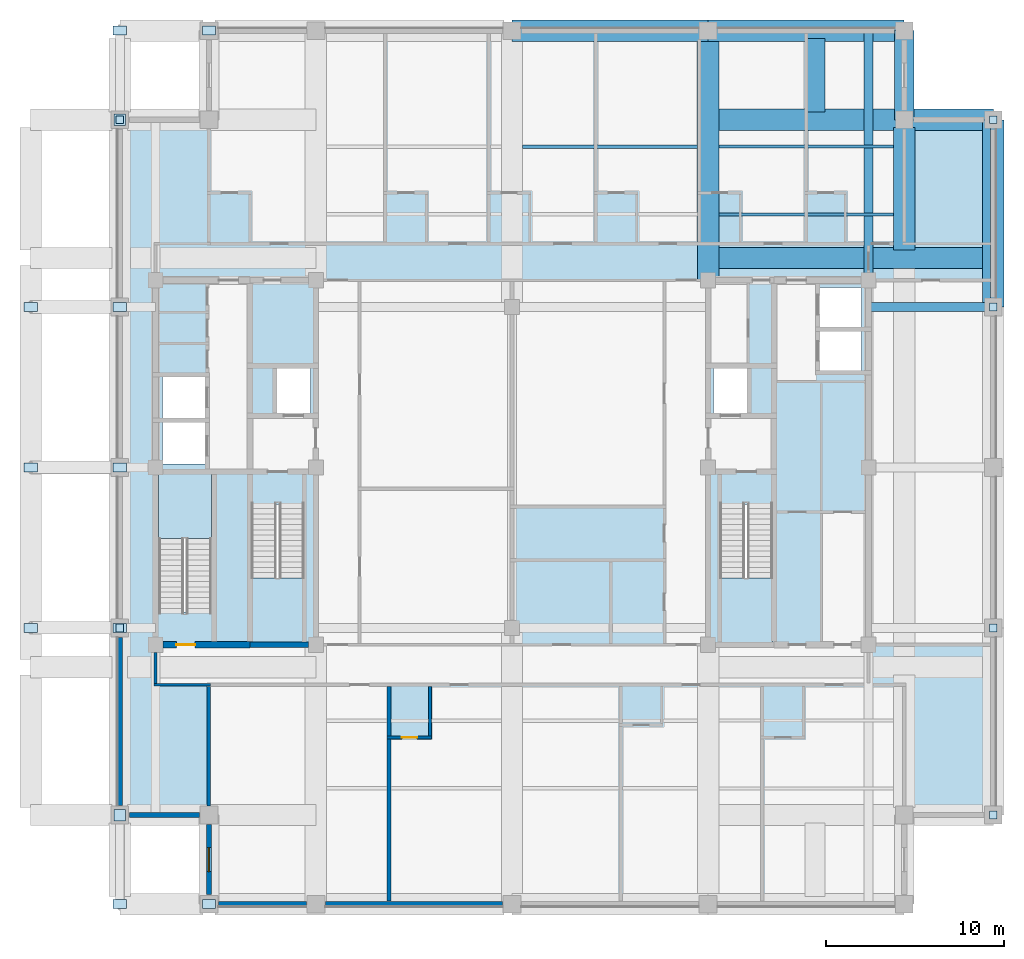
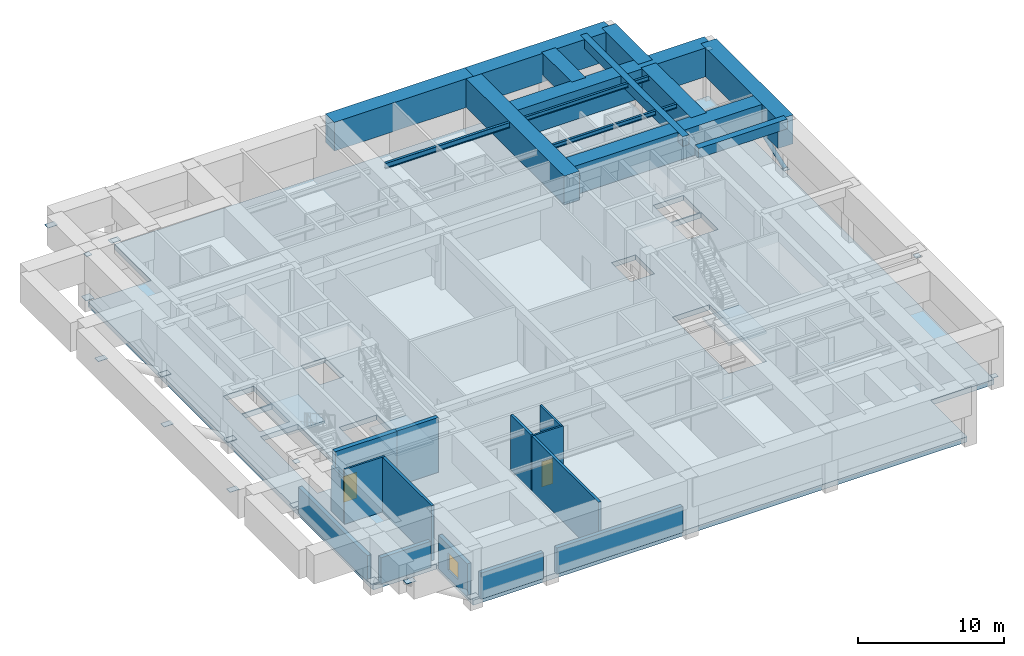
# One storey, part 2 of 11: 18 plates, 14 beams, 14 walls, 4 slabs, 2 doors, 1 member, 1 window, 3 openings, 3 elements without a shape of their own.
"""IFC4 building model written with IfcOpenShell, lengths in metres."""

from ifc_helpers import new_model, si_unit, direction, frame, frame_2d, origin, origin_2d, place, context, subcontext, project, spatial, polyline, rectangle, hollow_circle, i_section, outline, extrude, material, layer, layer_set, material_profile, profile_set, type_object, element, fill, aggregate, save


model = new_model("IFC4")

# Units and contexts
model_context = context("Model", 3, precision=1e-05, world=origin(), true_north=direction((0.0, 1.0)))
body_context = subcontext(model_context, "Body", "Model", "MODEL_VIEW")
ifc_project = project(units=[si_unit("LENGTHUNIT", "METRE"), si_unit("AREAUNIT", "SQUARE_METRE"), si_unit("VOLUMEUNIT", "CUBIC_METRE"), si_unit("PLANEANGLEUNIT", "RADIAN"), si_unit("MASSUNIT", "GRAM", prefix="KILO")], contexts=[model_context])

# Site, building, storey
site_placement = place(None, origin())
site = spatial("IfcSite", under=ifc_project, at=site_placement, CompositionType="ELEMENT")
building_placement = place(site_placement, origin())
building = spatial("IfcBuilding", under=site, at=building_placement, Name="Zulmaris Gate Convention Tower", CompositionType="ELEMENT")
storey_placement = place(building_placement, frame((0.0, 0.0, 186.4599609375)))
storey = spatial("IfcBuildingStorey", under=building, at=storey_placement, Name="L48", CompositionType="ELEMENT", Elevation=186.4599609375)

# Beams
ifc_material_1 = material(Name="Concrete C50/60", Category="concrete")
ifc_material_profile_1 = material_profile(ifc_material_1, rectangle(XDim=0.5, YDim=0.800048828125, at=origin_2d()), Name="RC BEAM 500x800")
ifc_profile_set_1 = profile_set([ifc_material_profile_1], Name="Concrete C50/60")
beam_type_1 = type_object("IfcBeamType", Name="BM-RC500x800", PredefinedType="BEAM", material=ifc_profile_set_1)
beam_1_placement = place(storey_placement, frame((20.0, 10.5, 4.175048828125), z_axis=(0.0, 1.0, 0.0), x_axis=(-1.0, 0.0, 0.0)))
element("IfcBeam", 1, at=beam_1_placement, inside=storey, type_object=beam_type_1, Name="L48 Beam BM-L48-G15", PredefinedType="BEAM", context=body_context, shape_type="SweptSolid", body=[
    extrude(rectangle(XDim=0.5, YDim=0.800048828125, at=origin_2d()), origin(), (0.0, 0.0, 1.0), 14.0),
])
beam_2_placement = place(storey_placement, frame((20.0, 9.0, 4.175048828125), z_axis=(1.0, 0.0, 0.0), x_axis=(0.0, 1.0, 0.0)))
element("IfcBeam", 2, at=beam_2_placement, inside=storey, type_object=beam_type_1, Name="L48 Beam BM-L48-G21", PredefinedType="BEAM", context=body_context, shape_type="SweptSolid", body=[
    extrude(rectangle(XDim=0.5, YDim=0.800048828125, at=origin_2d()), origin(), (0.0, 0.0, 1.0), 7.0),
])
ifc_material_2 = material(Name="Concrete C80/95", Category="concrete")
ifc_material_profile_2 = material_profile(ifc_material_2, rectangle(XDim=1.10009765625, YDim=1.800048828125, at=origin_2d()), Name="RC TRANSFER 1100x1800")
ifc_profile_set_2 = profile_set([ifc_material_profile_2], Name="Concrete C80/95")
beam_type_2 = type_object("IfcBeamType", Name="BM-XFER1800", PredefinedType="BEAM", material=ifc_profile_set_2)
beam_3_placement = place(storey_placement, frame((22.0, 19.5, 3.675048828125), z_axis=(0.0, 1.0, 0.0), x_axis=(-1.0, 0.0, 0.0)))
element("IfcBeam", 3, at=beam_3_placement, inside=storey, type_object=beam_type_2, Name="L48 Beam XFCOLV-L48-CXEN", PredefinedType="BEAM", context=body_context, shape_type="SweptSolid", body=[
    extrude(rectangle(XDim=1.10009765625, YDim=1.800048828125, at=origin_2d()), origin(), (0.0, 0.0, 1.0), 5.0),
])
beam_4_placement = place(storey_placement, frame((17.0, 19.93505859375, 3.675048828125), z_axis=(0.0, 1.0, 0.0), x_axis=(-1.0, 0.0, 0.0)))
element("IfcBeam", 4, at=beam_4_placement, inside=storey, type_object=beam_type_2, Name="L48 Beam XFNCH-L48-EC-+19.5", PredefinedType="BEAM", context=body_context, shape_type="SweptSolid", body=[
    extrude(rectangle(XDim=1.10009765625, YDim=1.800048828125, at=origin_2d()), origin(), (0.0, 0.0, 1.0), 4.1298828125),
])
ifc_material_profile_3 = material_profile(ifc_material_2, rectangle(XDim=1.199951171875, YDim=2.39990234375, at=origin_2d()), Name="RC TRANSFER 1200x2400")
ifc_profile_set_3 = profile_set([ifc_material_profile_3], Name="Concrete C80/95")
beam_type_3 = type_object("IfcBeamType", Name="BM-XFER2400", PredefinedType="BEAM", material=ifc_profile_set_3)
beam_5_placement = place(storey_placement, frame((27.0, 9.0, 3.375), z_axis=(0.0, 1.0, 0.0), x_axis=(-1.0, 0.0, 0.0)))
element("IfcBeam", 5, at=beam_5_placement, inside=storey, type_object=beam_type_3, Name="L48 Beam XFCOLV-L48-XEN", PredefinedType="BEAM", context=body_context, shape_type="SweptSolid", body=[
    extrude(rectangle(XDim=1.199951171875, YDim=2.39990234375, at=origin_2d()), origin(), (0.0, 0.0, 1.0), 10.5),
])
beam_6_placement = place(storey_placement, frame((11.0, 10.5, 3.375), z_axis=(0.0, 1.0, 0.0), x_axis=(-1.0, 0.0, 0.0)))
element("IfcBeam", 6, at=beam_6_placement, inside=storey, type_object=beam_type_3, Name="L48 Beam XFCOLV-L48-C11EN", PredefinedType="BEAM", context=body_context, shape_type="SweptSolid", body=[
    extrude(rectangle(XDim=1.199951171875, YDim=2.39990234375, at=origin_2d()), origin(), (0.0, 0.0, 1.0), 14.0),
])
for number, where, z_axis, x_axis, name in (
    (7, (11.0, 11.75, 3.375), (1.0, 0.0, 0.0), (0.0, 1.0, 0.0), "L48 Beam XFREC-L48-E-+11.75"),
    (8, (11.0, 19.5, 3.375), (1.0, 0.0, 0.0), (0.0, 1.0, 0.0), "L48 Beam XFREC-L48-E-+19.50"),
):
    element("IfcBeam", number, at=place(storey_placement, frame(where, z_axis=z_axis, x_axis=x_axis)), inside=storey, type_object=beam_type_3, Name=name, PredefinedType="BEAM", context=body_context, shape_type="SweptSolid", body=[
        extrude(rectangle(XDim=1.199951171875, YDim=2.39990234375, at=origin_2d()), origin(), (0.0, 0.0, 1.0), 16.0),
    ])
beam_7_placement = place(storey_placement, frame((22.0, 12.18505859375, 3.375), z_axis=(0.0, 1.0, 0.0), x_axis=(-1.0, 0.0, 0.0)))
element("IfcBeam", 9, at=beam_7_placement, inside=storey, type_object=beam_type_3, Name="L48 Beam XFEDG-L48-EN", PredefinedType="BEAM", context=body_context, shape_type="SweptSolid", body=[
    extrude(rectangle(XDim=1.199951171875, YDim=2.39990234375, at=origin_2d()), origin(), (0.0, 0.0, 1.0), 6.8798828125),
])
for number, where, z_axis, x_axis, name in (
    (10, (11.0, 24.5, 3.375), (1.0, 0.0, 0.0), (0.0, 1.0, 0.0), "L48 Beam XFREC-L48-EC-+24.5"),
    (11, (0.0, 24.5, 3.375), (1.0, 0.0, 0.0), (0.0, 1.0, 0.0), "L48 Beam XFREC-L48-M2-+24.5"),
):
    element("IfcBeam", number, at=place(storey_placement, frame(where, z_axis=z_axis, x_axis=x_axis)), inside=storey, type_object=beam_type_3, Name=name, PredefinedType="BEAM", context=body_context, shape_type="SweptSolid", body=[
        extrude(rectangle(XDim=1.199951171875, YDim=2.39990234375, at=origin_2d()), origin(), (0.0, 0.0, 1.0), 11.0),
    ])

# Member
ifc_material_3 = material(Name="Steel S355", Category="steel")
ifc_material_profile_4 = material_profile(ifc_material_3, hollow_circle(Radius=0.161865234375, WallThickness=0.01611328125, at=origin_2d()), Name="CHS 323.9x16")
ifc_profile_set_4 = profile_set([ifc_material_profile_4], Name="Steel S355")
member_type = type_object("IfcMemberType", Name="BR-CHS324", PredefinedType="BRACE", material=ifc_profile_set_4)
member_placement = place(storey_placement, frame((27.0, 9.0, 0.300048828125), z_axis=(0.0, 0.944417079225, 0.328749723146), x_axis=(-1.0, 0.0, 0.0)))
element("IfcMember", 12, at=member_placement, inside=storey, type_object=member_type, Name="L48 Perimeter Tube Diagonal NE-E", PredefinedType="BRACE", context=body_context, shape_type="SweptSolid", body=[
    extrude(hollow_circle(Radius=0.161865234375, WallThickness=0.01611328125, at=origin_2d()), origin(), (0.0, 0.0, 1.0), 11.117919921875),
])

# Beams
ifc_material_profile_5 = material_profile(ifc_material_3, i_section(OverallWidth=0.169921875, OverallDepth=0.360107421875, WebThickness=0.008056640625, FlangeThickness=0.0126953125, FilletRadius=0.01806640625, at=origin_2d()), Name="IPE 360")
ifc_profile_set_5 = profile_set([ifc_material_profile_5], Name="Steel S355")
beam_type_4 = type_object("IfcBeamType", Name="JT-IPE360", PredefinedType="JOIST", material=ifc_profile_set_5)
for number, where, z_axis, x_axis, name in (
    (13, (11.60009765625, 14.199951171875, 4.39306640625), (1.0, 0.0, 0.0), (0.0, 1.0, 0.0), "L48 Joist JT-L48-NE-+14.2"),
    (14, (11.60009765625, 18.0, 4.39306640625), (1.0, 0.0, 0.0), (0.0, 1.0, 0.0), "L48 Joist JT-L48-NE-+18.0"),
):
    element("IfcBeam", number, at=place(storey_placement, frame(where, z_axis=z_axis, x_axis=x_axis)), inside=storey, type_object=beam_type_4, Name=name, PredefinedType="JOIST", context=body_context, shape_type="SweptSolid", body=[
        extrude(i_section(OverallWidth=0.169921875, OverallDepth=0.360107421875, WebThickness=0.008056640625, FlangeThickness=0.0126953125, FilletRadius=0.01806640625, at=origin_2d()), origin(), (0.0, 0.0, 1.0), 9.7998046875),
    ])
ifc_material_profile_6 = material_profile(ifc_material_3, i_section(OverallWidth=0.18994140625, OverallDepth=0.449951171875, WebThickness=0.009521484375, FlangeThickness=0.0146484375, FilletRadius=0.02099609375, at=origin_2d()), Name="IPE 450")
ifc_profile_set_6 = profile_set([ifc_material_profile_6], Name="Steel S355")
beam_type_5 = type_object("IfcBeamType", Name="JT-IPE450", PredefinedType="JOIST", material=ifc_profile_set_6)
beam_8_placement = place(storey_placement, frame((0.60009765625, 18.0, 4.34814453125), z_axis=(1.0, 0.0, 0.0), x_axis=(0.0, 1.0, 0.0)))
element("IfcBeam", 15, at=beam_8_placement, inside=storey, type_object=beam_type_5, Name="L48 Joist JT-L48-CE-+18.0", PredefinedType="JOIST", context=body_context, shape_type="SweptSolid", body=[
    extrude(i_section(OverallWidth=0.18994140625, OverallDepth=0.449951171875, WebThickness=0.009521484375, FlangeThickness=0.0146484375, FilletRadius=0.02099609375, at=origin_2d()), origin(), (0.0, 0.0, 1.0), 9.7998046875),
])

# Plates
ifc_material_4 = material(Name="Steel S460", Category="steel")
ifc_layer_1 = layer(ifc_material_4, 0.02490234375, Name="Steel S460")
ifc_layer_set_1 = layer_set([ifc_layer_1], Name="Steel S460")
plate_type_1 = type_object("IfcPlateType", Name="NP-CAP-440", PredefinedType="USERDEFINED", material=ifc_layer_set_1)
for number, where, z_axis, x_axis, name in (
    (16, (-22.0, -9.0, 3.942626953125), (0.0, 0.0, 1.0), (1.0, 0.0, 0.0), "L48 Steel Node Plate PBR-L48-SW-W-CAPB"),
    (17, (-22.0, 19.5, 3.942626953125), (0.0, 0.0, 1.0), (1.0, 0.0, 0.0), "L48 Steel Node Plate PBR-L48-NW-W-CAPB"),
    (18, (27.0, -19.5, 0.28759765625), (0.0, 0.0, 1.0), (1.0, 0.0, 0.0), "L48 Steel Node Plate PBR-L48-SE-E-CAP"),
    (19, (27.0, -9.0, 3.942626953125), (0.0, 0.0, 1.0), (1.0, 0.0, 0.0), "L48 Steel Node Plate PBR-L48-SE-E-CAPB"),
    (20, (27.0, 9.0, 0.28759765625), (0.0, 0.0, 1.0), (1.0, 0.0, 0.0), "L48 Steel Node Plate PBR-L48-NE-E-CAP"),
    (21, (27.0, 19.5, 3.942626953125), (0.0, 0.0, 1.0), (1.0, 0.0, 0.0), "L48 Steel Node Plate PBR-L48-NE-E-CAPB"),
):
    element("IfcPlate", number, at=place(storey_placement, frame(where, z_axis=z_axis, x_axis=x_axis)), inside=storey, type_object=plate_type_1, Name=name, ObjectType="FLANGE PLATE", PredefinedType="USERDEFINED", context=body_context, shape_type="SweptSolid", body=[
        extrude(rectangle(XDim=0.43994140625, YDim=0.43994140625, at=origin_2d()), origin(), (0.0, 0.0, 1.0), 0.02490234375),
    ])
ifc_layer_2 = layer(ifc_material_4, 0.034912109375, Name="Steel S460")
ifc_layer_set_2 = layer_set([ifc_layer_2], Name="Steel S460")
plate_type_2 = type_object("IfcPlateType", Name="NP-GUS-650", PredefinedType="USERDEFINED", material=ifc_layer_set_2)
for number, where, z_axis, x_axis, name in (
    (22, (-22.0, -19.5, 0.33251953125), (0.0, 0.0, 1.0), (1.0, 0.0, 0.0), "L48 Steel Node Plate RKR2-L48-WC--24.5-P0"),
    (23, (-22.0, 19.5, 0.33251953125), (0.0, 0.0, 1.0), (1.0, 0.0, 0.0), "L48 Steel Node Plate RKR2-L48-WC-+24.5-P0"),
):
    element("IfcPlate", number, at=place(storey_placement, frame(where, z_axis=z_axis, x_axis=x_axis)), inside=storey, type_object=plate_type_2, Name=name, ObjectType="GUSSET PLATE", PredefinedType="USERDEFINED", context=body_context, shape_type="SweptSolid", body=[
        extrude(rectangle(XDim=0.64990234375, YDim=0.64990234375, at=origin_2d()), origin(), (0.0, 0.0, 1.0), 0.034912109375),
    ])
ifc_layer_3 = layer(ifc_material_4, 0.034912109375, Name="Steel S460")
ifc_layer_set_3 = layer_set([ifc_layer_3], Name="Steel S460")
plate_type_3 = type_object("IfcPlateType", Name="NP-GUS-750", PredefinedType="USERDEFINED", material=ifc_layer_set_3)
for number, where, z_axis, x_axis, name in (
    (24, (-22.0, -9.0, 0.33251953125), (0.0, 0.0, 1.0), (1.0, 0.0, 0.0), "L48 Steel Node Plate RKR-L48-W--9.0-P0"),
    (25, (-27.0, -9.0, 3.357421875), (0.0, 0.0, 1.0), (1.0, 0.0, 0.0), "L48 Steel Node Plate RKR-L48-W--9.0-P1"),
    (26, (-22.0, 0.0, 0.33251953125), (0.0, 0.0, 1.0), (1.0, 0.0, 0.0), "L48 Steel Node Plate RKR-L48-W-+0.0-P0"),
    (27, (-27.0, 0.0, 3.357421875), (0.0, 0.0, 1.0), (1.0, 0.0, 0.0), "L48 Steel Node Plate RKR-L48-W-+0.0-P1"),
    (28, (-22.0, 9.0, 0.33251953125), (0.0, 0.0, 1.0), (1.0, 0.0, 0.0), "L48 Steel Node Plate RKR-L48-W-+9.0-P0"),
    (29, (-27.0, 9.0, 3.357421875), (0.0, 0.0, 1.0), (1.0, 0.0, 0.0), "L48 Steel Node Plate RKR-L48-W-+9.0-P1"),
    (30, (-17.0, -24.5, 0.33251953125), (0.0, 0.0, 1.0), (1.0, 0.0, 0.0), "L48 Steel Node Plate RKR-L48-WC--24.5-P0"),
    (31, (-22.0, -24.5, 3.357421875), (0.0, 0.0, 1.0), (1.0, 0.0, 0.0), "L48 Steel Node Plate RKR-L48-WC--24.5-P1"),
    (32, (-17.0, 24.5, 0.33251953125), (0.0, 0.0, 1.0), (1.0, 0.0, 0.0), "L48 Steel Node Plate RKR-L48-WC-+24.5-P0"),
    (33, (-22.0, 24.5, 3.357421875), (0.0, 0.0, 1.0), (1.0, 0.0, 0.0), "L48 Steel Node Plate RKR-L48-WC-+24.5-P1"),
):
    element("IfcPlate", number, at=place(storey_placement, frame(where, z_axis=z_axis, x_axis=x_axis)), inside=storey, type_object=plate_type_3, Name=name, ObjectType="GUSSET PLATE", PredefinedType="USERDEFINED", context=body_context, shape_type="SweptSolid", body=[
        extrude(rectangle(XDim=0.75, YDim=0.5, at=origin_2d()), origin(), (0.0, 0.0, 1.0), 0.034912109375),
    ])

# Slab
ifc_material_5 = material(Name="Concrete C60/75", Category="concrete")
ifc_layer_4 = layer(ifc_material_5, 0.425048828125, Name="Concrete C60/75")
ifc_layer_set_4 = layer_set([ifc_layer_4], Name="Concrete C60/75")
slab_type_1 = type_object("IfcSlabType", Name="SL-FLR-425", PredefinedType="FLOOR", material=ifc_layer_set_4)
slab_1_placement = place(storey_placement, frame((0.0, 0.0, -0.425048828125)))
element("IfcSlab", 34, at=slab_1_placement, inside=storey, type_object=slab_type_1, Name="L48 Shifted Notched-Square Structural Floor Slab", PredefinedType="FLOOR", context=body_context, shape_type="SweptSolid", body=[
    extrude(outline(polyline([(-17.0, -24.5), (22.0, -24.5), (22.0, -19.5), (27.0, -19.5), (27.0, 19.5), (22.0, 19.5), (22.0, 24.5), (-17.0, 24.5), (-17.0, 19.5), (-22.0, 19.5), (-22.0, -19.5), (-17.0, -19.5), (-17.0, -24.5)]), holes=[polyline([(-14.6201171875, -2.080078125), (-14.6201171875, -9.85009765625), (-11.659912109375, -9.85009765625), (-11.659912109375, -2.080078125), (-14.6201171875, -2.080078125)]), polyline([(11.659912109375, -2.080078125), (11.659912109375, -9.85009765625), (14.6201171875, -9.85009765625), (14.6201171875, -2.080078125), (11.659912109375, -2.080078125)]), polyline([(-16.860107421875, -8.1201171875), (-16.860107421875, -0.35009765625), (-19.820068359375, -0.35009765625), (-19.820068359375, -8.1201171875), (-16.860107421875, -8.1201171875)]), polyline([(-13.199951171875, 3.0), (-11.300048828125, 3.0), (-11.300048828125, 5.60009765625), (-13.199951171875, 5.60009765625), (-13.199951171875, 3.0)]), polyline([(11.300048828125, 3.0), (13.199951171875, 3.0), (13.199951171875, 5.60009765625), (11.300048828125, 5.60009765625), (11.300048828125, 3.0)]), polyline([(17.199951171875, 5.39990234375), (19.60009765625, 5.39990234375), (19.60009765625, 7.699951171875), (17.199951171875, 7.699951171875), (17.199951171875, 5.39990234375)]), polyline([(17.199951171875, 7.800048828125), (19.60009765625, 7.800048828125), (19.60009765625, 10.10009765625), (17.199951171875, 10.10009765625), (17.199951171875, 7.800048828125)]), polyline([(-19.60009765625, 0.199951171875), (-17.199951171875, 0.199951171875), (-17.199951171875, 2.60009765625), (-19.60009765625, 2.60009765625), (-19.60009765625, 0.199951171875)]), polyline([(-19.60009765625, 2.699951171875), (-17.199951171875, 2.699951171875), (-17.199951171875, 5.10009765625), (-19.60009765625, 5.10009765625), (-19.60009765625, 2.699951171875)])]), origin(), (0.0, 0.0, 1.0), 0.425048828125),
])

# Stair, slab
ifc_material_6 = material(Name="Concrete C45/55", Category="concrete")
stair_type = type_object("IfcStairType", Name="ST-CORE-DOGLEG", PredefinedType="HALF_TURN_STAIR", material=ifc_material_6)
stair_1_placement = place(storey_placement, origin())
stair_1 = element("IfcStair", 35, at=stair_1_placement, inside=storey, type_object=stair_type, Name="L48 Core Exit Stair ST-1", PredefinedType="HALF_TURN_STAIR")
ifc_layer_5 = layer(ifc_material_6, 0.199951171875, Name="Concrete C45/55")
ifc_layer_set_5 = layer_set([ifc_layer_5], Name="Concrete C45/55")
slab_type_2 = type_object("IfcSlabType", Name="SL-LND-200", PredefinedType="LANDING", material=ifc_layer_set_5)
slab_2_placement = place(storey_placement, frame((0.0, 0.0, 2.300048828125)))
slab_2 = element("IfcSlab", 36, at=slab_2_placement, type_object=slab_type_2, Name="ST-1 landing 1", PredefinedType="LANDING", context=body_context, shape_type="SweptSolid", body=[
    extrude(outline(polyline([(-14.6201171875, -6.199951171875), (-14.6201171875, -9.85009765625), (-11.659912109375, -9.85009765625), (-11.659912109375, -6.199951171875), (-14.6201171875, -6.199951171875)])), origin(), (0.0, 0.0, 1.0), 0.199951171875),
])
aggregate(stair_1, [slab_2])

stair_2_placement = place(storey_placement, origin())
stair_2 = element("IfcStair", 37, at=stair_2_placement, inside=storey, type_object=stair_type, Name="L48 Core Exit Stair ST-2", PredefinedType="HALF_TURN_STAIR")
slab_3_placement = place(storey_placement, frame((0.0, 0.0, 2.300048828125)))
slab_3 = element("IfcSlab", 38, at=slab_3_placement, type_object=slab_type_2, Name="ST-2 landing 1", PredefinedType="LANDING", context=body_context, shape_type="SweptSolid", body=[
    extrude(outline(polyline([(11.659912109375, -6.199951171875), (11.659912109375, -9.85009765625), (14.6201171875, -9.85009765625), (14.6201171875, -6.199951171875), (11.659912109375, -6.199951171875)])), origin(), (0.0, 0.0, 1.0), 0.199951171875),
])
aggregate(stair_2, [slab_3])

stair_3_placement = place(storey_placement, origin())
stair_3 = element("IfcStair", 39, at=stair_3_placement, inside=storey, type_object=stair_type, Name="L48 Core Exit Stair ST-3", PredefinedType="HALF_TURN_STAIR")
slab_4_placement = place(storey_placement, frame((0.0, 0.0, 2.300048828125)))
slab_4 = element("IfcSlab", 40, at=slab_4_placement, type_object=slab_type_2, Name="ST-3 landing 1", PredefinedType="LANDING", context=body_context, shape_type="SweptSolid", body=[
    extrude(outline(polyline([(-16.860107421875, -4.0), (-16.860107421875, -0.35009765625), (-19.820068359375, -0.35009765625), (-19.820068359375, -4.0), (-16.860107421875, -4.0)])), origin(), (0.0, 0.0, 1.0), 0.199951171875),
])
aggregate(stair_3, [slab_4])

# Wall
ifc_layer_6 = layer(ifc_material_1, 0.300048828125, Name="Concrete C50/60")
ifc_layer_set_6 = layer_set([ifc_layer_6], Name="Concrete C50/60")
wall_type_1 = type_object("IfcWallType", Name="CORE-300", PredefinedType="SHEAR", material=ifc_layer_set_6)
wall_1_placement = place(storey_placement, frame((-14.699951171875, -9.949951171875, 0.0), z_axis=(0.0, 0.0, 1.0), x_axis=(1.0, 0.0, 0.0)))
element("IfcWall", 41, at=wall_1_placement, inside=storey, type_object=wall_type_1, Name="WL-L48-002", PredefinedType="SHEAR", context=body_context, shape_type="SweptSolid", body=[
    extrude(rectangle(XDim=3.27099609375, YDim=0.300048828125, at=frame_2d((1.635498046875, 0.0))), origin(), (0.0, 0.0, 1.0), 4.574951171875),
])

# Wall, opening, door
ifc_material_7 = material(Name="Concrete C55/67", Category="concrete")
ifc_layer_7 = layer(ifc_material_7, 0.35009765625, Name="Concrete C55/67")
ifc_layer_set_7 = layer_set([ifc_layer_7], Name="Concrete C55/67")
wall_type_2 = type_object("IfcWallType", Name="CORE-350", PredefinedType="SHEAR", material=ifc_layer_set_7)
wall_2_placement = place(storey_placement, frame((-19.571044921875, -9.949951171875, 0.0), z_axis=(0.0, 0.0, 1.0), x_axis=(1.0, 0.0, 0.0)))
wall_2 = element("IfcWall", 42, at=wall_2_placement, inside=storey, type_object=wall_type_2, Name="WL-L48-001", PredefinedType="SHEAR", context=body_context, shape_type="SweptSolid", body=[
    extrude(rectangle(XDim=4.87109375, YDim=0.35009765625, at=frame_2d((2.435546875, 0.0))), origin(), (0.0, 0.0, 1.0), 4.574951171875),
])
opening_1_placement = place(wall_2_placement, frame((0.74609375, 0.0, 0.0)))
opening_1 = element("IfcOpeningElement", 43, at=opening_1_placement, cuts=wall_2, Name="Opening D-09", PredefinedType="OPENING", context=body_context, shape_type="SweptSolid", body=[
    extrude(rectangle(XDim=1.050048828125, YDim=2.14990234375, at=frame_2d((0.52490234375, 1.074951171875))), frame((0.0, 0.18505859375, 0.0), z_axis=(0.0, -1.0, 0.0), x_axis=(1.0, 0.0, 0.0)), (0.0, 0.0, 1.0), 0.3701171875),
])
ifc_material_8 = material(Name="Fire-Rated Steel", Category="steel")
door_type_1 = type_object("IfcDoorType", Name="DR-1050-FD", OperationType="NOTDEFINED", PredefinedType="DOOR", material=ifc_material_8)
door_1_placement = place(opening_1_placement, origin())
door_1 = element("IfcDoor", 44, at=door_1_placement, inside=storey, type_object=door_type_1, Name="L48 Exit Stair ST-3 Door 10", OperationType="SINGLE_SWING_RIGHT", OverallHeight=2.14990234375, OverallWidth=1.050048828125, PredefinedType="DOOR", context=body_context, shape_type="SweptSolid", body=[
    extrude(rectangle(XDim=1.050048828125, YDim=2.14990234375, at=frame_2d((0.52490234375, 1.074951171875))), frame((0.0, 0.02490234375, 0.0), z_axis=(0.0, -1.0, 0.0), x_axis=(1.0, 0.0, 0.0)), (0.0, 0.0, 1.0), 0.050048828125),
])
fill(opening_1, door_1)

ifc_material_9 = material(Name="Gypsum Metal Stud Partition")
ifc_layer_8 = layer(ifc_material_9, 0.14990234375, Name="Gypsum Metal Stud Partition")
ifc_layer_set_8 = layer_set([ifc_layer_8], Name="Gypsum Metal Stud Partition")
wall_type_3 = type_object("IfcWallType", Name="PART-150", PredefinedType="PARTITIONING", material=ifc_layer_set_8)
wall_3_placement = place(storey_placement, frame((-7.0, -15.14990234375, 0.0), z_axis=(0.0, 0.0, 1.0), x_axis=(1.0, 0.0, 0.0)))
wall_3 = element("IfcWall", 45, at=wall_3_placement, inside=storey, type_object=wall_type_3, Name="WL-L48-019", PredefinedType="PARTITIONING", context=body_context, shape_type="SweptSolid", body=[
    extrude(rectangle(XDim=2.47509765625, YDim=0.14990234375, at=frame_2d((1.237548828125, 0.0))), origin(), (0.0, 0.0, 1.0), 4.574951171875),
])
opening_2_placement = place(wall_3_placement, frame((0.824951171875, 0.0, 0.0)))
opening_2 = element("IfcOpeningElement", 46, at=opening_2_placement, cuts=wall_3, Name="Opening D-17", PredefinedType="OPENING", context=body_context, shape_type="SweptSolid", body=[
    extrude(rectangle(XDim=0.85009765625, YDim=2.10009765625, at=frame_2d((0.425048828125, 1.050048828125))), frame((0.0, 0.0849609375, 0.0), z_axis=(0.0, -1.0, 0.0), x_axis=(1.0, 0.0, 0.0)), (0.0, 0.0, 1.0), 0.169921875),
])
ifc_material_10 = material(Name="Moisture-Resistant Hardwood Timber", Category="wood")
door_type_2 = type_object("IfcDoorType", Name="DR-850", OperationType="NOTDEFINED", PredefinedType="DOOR", material=ifc_material_10)
door_2_placement = place(opening_2_placement, origin())
door_2 = element("IfcDoor", 47, at=door_2_placement, inside=storey, type_object=door_type_2, Name="L48 En-Suite Door 42", OperationType="SINGLE_SWING_RIGHT", OverallHeight=2.10009765625, OverallWidth=0.85009765625, PredefinedType="DOOR", context=body_context, shape_type="SweptSolid", body=[
    extrude(rectangle(XDim=0.85009765625, YDim=2.10009765625, at=frame_2d((0.425048828125, 1.050048828125))), frame((0.0, 0.02490234375, 0.0), z_axis=(0.0, -1.0, 0.0), x_axis=(1.0, 0.0, 0.0)), (0.0, 0.0, 1.0), 0.050048828125),
])
fill(opening_2, door_2)

# Walls
wall_4_placement = place(storey_placement, frame((-20.074951171875, -12.199951171875, 0.0), z_axis=(0.0, 0.0, 1.0), x_axis=(1.0, 0.0, 0.0)))
element("IfcWall", 48, at=wall_4_placement, inside=storey, type_object=wall_type_3, Name="WL-L48-022", PredefinedType="PARTITIONING", context=body_context, shape_type="SweptSolid", body=[
    extrude(rectangle(XDim=3.175048828125, YDim=0.14990234375, at=frame_2d((1.58740234375, 0.0))), origin(), (0.0, 0.0, 1.0), 4.574951171875),
])
wall_5_placement = place(storey_placement, frame((-20.0, -12.1220703125, 0.0), z_axis=(0.0, 0.0, 1.0), x_axis=(0.0, 1.0, 0.0)))
element("IfcWall", 49, at=wall_5_placement, inside=storey, type_object=wall_type_3, Name="WL-L48-076", PredefinedType="PARTITIONING", context=body_context, shape_type="SweptSolid", body=[
    extrude(rectangle(XDim=1.740966796875, YDim=0.14990234375, at=frame_2d((0.87060546875, 0.0))), origin(), (0.0, 0.0, 1.0), 3.76708984375),
])
wall_6_placement = place(storey_placement, frame((-4.60009765625, -15.072021484375, 0.0), z_axis=(0.0, 0.0, 1.0), x_axis=(0.0, 1.0, 0.0)))
element("IfcWall", 50, at=wall_6_placement, inside=storey, type_object=wall_type_3, Name="WL-L48-092", PredefinedType="PARTITIONING", context=body_context, shape_type="SweptSolid", body=[
    extrude(rectangle(XDim=2.76904296875, YDim=0.14990234375, at=frame_2d((1.384521484375, 0.0))), origin(), (0.0, 0.0, 1.0), 4.574951171875),
])
ifc_material_11 = material(Name="Autoclaved Aerated Concrete Block and Plasterboard", Category="concrete")
ifc_layer_9 = layer(ifc_material_11, 0.199951171875, Name="Autoclaved Aerated Concrete Block and Plasterboard")
ifc_layer_set_9 = layer_set([ifc_layer_9], Name="Autoclaved Aerated Concrete Block and Plasterboard")
wall_type_4 = type_object("IfcWallType", Name="PART-200", PredefinedType="PARTITIONING", material=ifc_layer_set_9)
wall_7_placement = place(storey_placement, frame((-17.0, -18.993896484375, 0.0), z_axis=(0.0, 0.0, 1.0), x_axis=(0.0, 1.0, 0.0)))
element("IfcWall", 51, at=wall_7_placement, inside=storey, type_object=wall_type_4, Name="WL-L48-081", PredefinedType="PARTITIONING", context=body_context, shape_type="SweptSolid", body=[
    extrude(rectangle(XDim=6.69091796875, YDim=0.199951171875, at=frame_2d((3.345458984375, 0.0))), origin(), (0.0, 0.0, 1.0), 4.574951171875),
])
wall_8_placement = place(storey_placement, frame((-6.89990234375, -24.3349609375, 0.0), z_axis=(0.0, 0.0, 1.0), x_axis=(0.0, 1.0, 0.0)))
element("IfcWall", 52, at=wall_8_placement, inside=storey, type_object=wall_type_4, Name="WL-L48-089", PredefinedType="PARTITIONING", context=body_context, shape_type="SweptSolid", body=[
    extrude(rectangle(XDim=9.10693359375, YDim=0.199951171875, at=frame_2d((4.553466796875, 0.0))), origin(), (0.0, 0.0, 1.0), 4.574951171875),
])
wall_9_placement = place(storey_placement, frame((-6.89990234375, -15.072021484375, 0.0), z_axis=(0.0, 0.0, 1.0), x_axis=(0.0, 1.0, 0.0)))
element("IfcWall", 53, at=wall_9_placement, inside=storey, type_object=wall_type_4, Name="WL-L48-090", PredefinedType="PARTITIONING", context=body_context, shape_type="SweptSolid", body=[
    extrude(rectangle(XDim=2.76904296875, YDim=0.199951171875, at=frame_2d((1.384521484375, 0.0))), origin(), (0.0, 0.0, 1.0), 4.574951171875),
])
ifc_material_12 = material(Name="Precast concrete C40/50", Category="concrete")
ifc_layer_10 = layer(ifc_material_12, 0.300048828125, Name="Precast concrete C40/50")
ifc_layer_set_10 = layer_set([ifc_layer_10], Name="Precast concrete C40/50")
wall_type_5 = type_object("IfcWallType", Name="PRECAST-PIER-300", PredefinedType="STANDARD", material=ifc_layer_set_10)
wall_10_placement = place(storey_placement, frame((-21.469970703125, -19.5, 0.0), z_axis=(0.0, 0.0, 1.0), x_axis=(1.0, 0.0, 0.0)))
element("IfcWall", 54, at=wall_10_placement, inside=storey, type_object=wall_type_5, Name="EW-L48-NOTCH-SW1_0", PredefinedType="STANDARD", context=body_context, shape_type="SweptSolid", body=[
    extrude(rectangle(XDim=3.93994140625, YDim=0.300048828125, at=frame_2d((1.969970703125, 0.0))), origin(), (0.0, 0.0, 1.0), 2.1669921875),
])

# Wall, opening, window
wall_11_placement = place(storey_placement, frame((-17.0, -20.030029296875, 0.0), z_axis=(0.0, 0.0, 1.0), x_axis=(0.0, -1.0, 0.0)))
wall_11 = element("IfcWall", 55, at=wall_11_placement, inside=storey, type_object=wall_type_5, Name="EW-L48-NOTCH-SW2_0", PredefinedType="STANDARD", context=body_context, shape_type="SweptSolid", body=[
    extrude(rectangle(XDim=3.93994140625, YDim=0.300048828125, at=frame_2d((1.969970703125, 0.0))), origin(), (0.0, 0.0, 1.0), 2.76708984375),
])
opening_3_placement = place(wall_11_placement, frame((1.294921875, 0.0, 0.679931640625)))
opening_3 = element("IfcOpeningElement", 56, at=opening_3_placement, cuts=wall_11, Name="Opening W-10", PredefinedType="OPENING", context=body_context, shape_type="SweptSolid", body=[
    extrude(rectangle(XDim=1.35009765625, YDim=1.419921875, at=frame_2d((0.675048828125, 0.7099609375))), frame((0.0, 0.16015625, 0.0), z_axis=(0.0, -1.0, 0.0), x_axis=(1.0, 0.0, 0.0)), (0.0, 0.0, 1.0), 0.320068359375),
])
ifc_material_13 = material(Name="Low-E Laminated Double Glazing in Aluminium Frame", Category="aluminium")
window_type = type_object("IfcWindowType", Name="WIN-1350x2000", PartitioningType="SINGLE_PANEL", PredefinedType="WINDOW", material=ifc_material_13)
window_placement = place(opening_3_placement, origin())
window = element("IfcWindow", 57, at=window_placement, inside=storey, type_object=window_type, Name="WN-EW-L48-NOTCH-SW2_0", OverallHeight=1.419921875, OverallWidth=1.35009765625, PartitioningType="SINGLE_PANEL", PredefinedType="WINDOW", context=body_context, shape_type="SweptSolid", body=[
    extrude(rectangle(XDim=1.35009765625, YDim=1.419921875, at=frame_2d((0.675048828125, 0.7099609375))), frame((0.0, 0.030029296875, 0.0), z_axis=(0.0, -1.0, 0.0), x_axis=(1.0, 0.0, 0.0)), (0.0, 0.0, 1.0), 0.06005859375),
])
fill(opening_3, window)

# Walls
wall_12_placement = place(storey_placement, frame((-16.469970703125, -24.5, 0.0), z_axis=(0.0, 0.0, 1.0), x_axis=(1.0, 0.0, 0.0)))
element("IfcWall", 58, at=wall_12_placement, inside=storey, type_object=wall_type_5, Name="EW-L48-S-0_0", PredefinedType="STANDARD", context=body_context, shape_type="SweptSolid", body=[
    extrude(rectangle(XDim=4.93994140625, YDim=0.300048828125, at=frame_2d((2.469970703125, 0.0))), origin(), (0.0, 0.0, 1.0), 2.1669921875),
])
wall_13_placement = place(storey_placement, frame((-10.469970703125, -24.5, 0.0), z_axis=(0.0, 0.0, 1.0), x_axis=(1.0, 0.0, 0.0)))
element("IfcWall", 59, at=wall_13_placement, inside=storey, type_object=wall_type_5, Name="EW-L48-S-1_0", PredefinedType="STANDARD", context=body_context, shape_type="SweptSolid", body=[
    extrude(rectangle(XDim=9.93994140625, YDim=0.300048828125, at=frame_2d((4.969970703125, 0.0))), origin(), (0.0, 0.0, 1.0), 2.1669921875),
])
wall_14_placement = place(storey_placement, frame((-22.0, -9.530029296875, 0.0), z_axis=(0.0, 0.0, 1.0), x_axis=(0.0, -1.0, 0.0)))
element("IfcWall", 60, at=wall_14_placement, inside=storey, type_object=wall_type_5, Name="EW-L48-W-0_0", PredefinedType="STANDARD", context=body_context, shape_type="SweptSolid", body=[
    extrude(rectangle(XDim=9.43994140625, YDim=0.300048828125, at=frame_2d((4.719970703125, 0.0))), origin(), (0.0, 0.0, 1.0), 2.1669921875),
])

save(model, "model.ifc")
